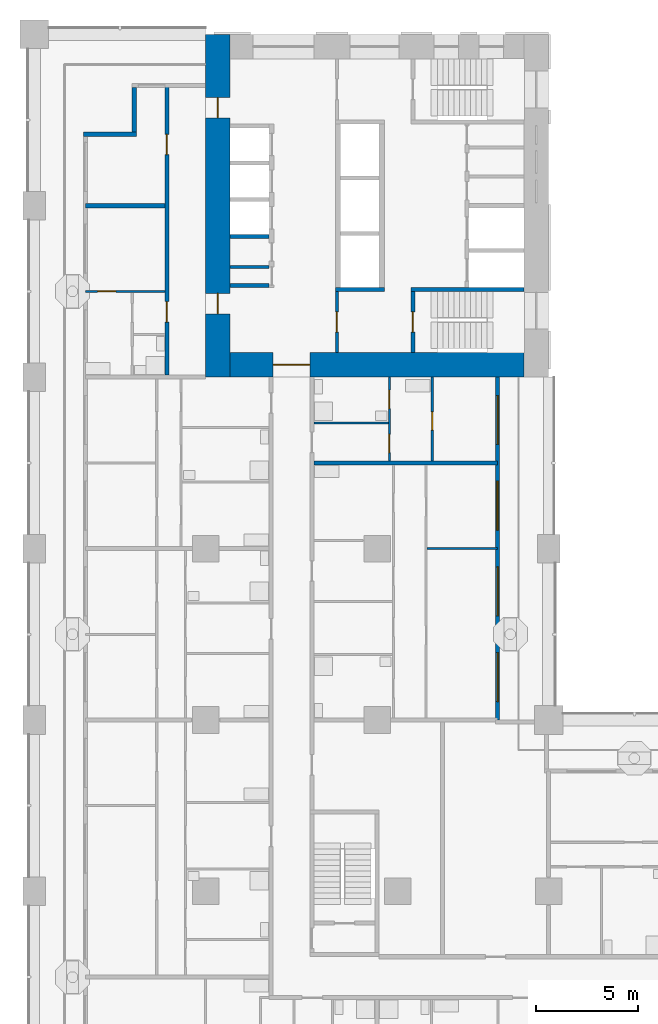
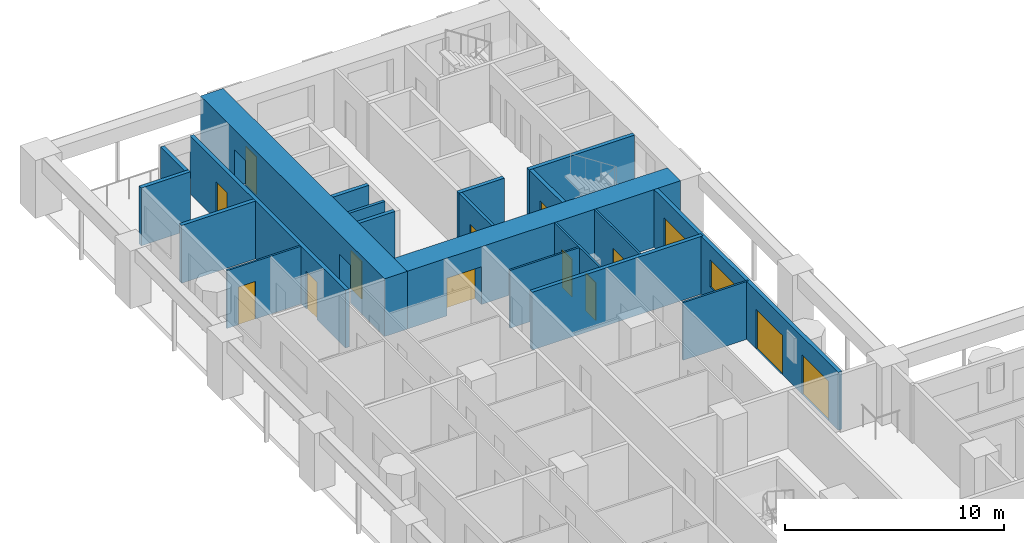
# One storey, part 9 of 22: 20 walls, 14 doors, 1 window, 15 openings.
"""IFC4 building model written with IfcOpenShell, lengths in metres."""

from ifc_helpers import new_model, si_unit, direction, frame, frame_2d, origin, place, context, subcontext, project, spatial, rectangle, extrude, material, layer, layer_set, type_object, element, fill, save


model = new_model("IFC4")

# Units and contexts
model_context = context("Model", 3, precision=1e-05, world=origin(), true_north=direction((0.0, 1.0)))
body_context = subcontext(model_context, "Body", "Model", "MODEL_VIEW")
ifc_project = project(units=[si_unit("LENGTHUNIT", "METRE"), si_unit("AREAUNIT", "SQUARE_METRE"), si_unit("VOLUMEUNIT", "CUBIC_METRE"), si_unit("PLANEANGLEUNIT", "RADIAN"), si_unit("MASSUNIT", "GRAM", prefix="KILO")], contexts=[model_context])

# Site, building, storey
site_placement = place(None, origin())
site = spatial("IfcSite", under=ifc_project, at=site_placement, CompositionType="ELEMENT")
building_placement = place(site_placement, origin())
building = spatial("IfcBuilding", under=site, at=building_placement, Name="Vermilion Gate Residences", CompositionType="ELEMENT")
storey_placement = place(building_placement, frame((0.0, 0.0, 60.199951171875)))
storey = spatial("IfcBuildingStorey", under=building, at=storey_placement, Name="L14", CompositionType="ELEMENT", Elevation=60.199951171875)

# Wall
ifc_material_1 = material(Name="Masonry blockwork", Category="masonry")
ifc_layer_1 = layer(ifc_material_1, 0.14990234375)
ifc_layer_set_1 = layer_set([ifc_layer_1], Name="BLOCKWORK PARTITION 150 EI 120")
wall_type_1 = type_object("IfcWallType", Name="BLOCKWORK PARTITION 150 EI 120", PredefinedType="PARTITIONING", material=ifc_layer_set_1)
wall_1_placement = place(storey_placement, frame((9.60009765625, 47.392578125, 0.0), z_axis=(0.0, 0.0, 1.0), x_axis=(1.0, 0.0, 0.0)))
element("IfcWall", 1, at=wall_1_placement, inside=storey, type_object=wall_type_1, Name="Core room partition B14-SR-P0", PredefinedType="PARTITIONING", context=body_context, shape_type="SweptSolid", body=[
    extrude(rectangle(XDim=1.89990234375, YDim=0.14990234375, at=frame_2d((0.949951171875, 0.0))), origin(), (0.0, 0.0, 1.0), 3.219970703125),
])

# Wall, opening, door
wall_2_placement = place(storey_placement, frame((14.824951171875, 46.199951171875, 0.0), z_axis=(0.0, 0.0, 1.0), x_axis=(0.0, -1.0, 0.0)))
wall_2 = element("IfcWall", 2, at=wall_2_placement, inside=storey, type_object=wall_type_1, Name="Core room partition B14-VE-S", PredefinedType="PARTITIONING", context=body_context, shape_type="SweptSolid", body=[
    extrude(rectangle(XDim=3.0, YDim=0.14990234375, at=frame_2d((1.5, 0.0))), origin(), (0.0, 0.0, 1.0), 3.219970703125),
])
opening_1_placement = place(wall_2_placement, frame((1.0, 0.0, 0.0)))
opening_1 = element("IfcOpeningElement", 3, at=opening_1_placement, cuts=wall_2, Name="Opening DK14116", PredefinedType="OPENING", context=body_context, shape_type="SweptSolid", body=[
    extrude(rectangle(XDim=1.0, YDim=2.10009765625, at=frame_2d((0.5, 1.050048828125))), frame((0.0, 0.0849609375, 0.0), z_axis=(0.0, -1.0, 0.0), x_axis=(1.0, 0.0, 0.0)), (0.0, 0.0, 1.0), 0.169921875),
])
ifc_material_2 = material(Name="Steel", Category="steel")
door_type_1 = type_object("IfcDoorType", Name="FIRE DOOR FD60 1000 X 2100", OperationType="SINGLE_SWING_LEFT", PredefinedType="DOOR", material=ifc_material_2)
door_1_placement = place(opening_1_placement, frame((1.0, 0.0, 0.0), z_axis=(0.0, 0.0, 1.0), x_axis=(-1.0, 0.0, 0.0)))
door_1 = element("IfcDoor", 4, at=door_1_placement, inside=storey, type_object=door_type_1, Name="Stair vestibule door B14", OperationType="SINGLE_SWING_LEFT", OverallHeight=2.10009765625, OverallWidth=1.0, PredefinedType="DOOR", context=body_context, shape_type="SweptSolid", body=[
    extrude(rectangle(XDim=1.0, YDim=2.10009765625, at=frame_2d((0.5, 1.050048828125))), frame((0.0, 0.02490234375, 0.0), z_axis=(0.0, -1.0, 0.0), x_axis=(1.0, 0.0, 0.0)), (0.0, 0.0, 1.0), 0.050048828125),
])
fill(opening_1, door_1)

# Walls
ifc_material_3 = material(Name="Insulated steel stud wall with terracotta rainscreen", Category="masonry")
ifc_layer_2 = layer(ifc_material_3, 0.199951171875)
ifc_layer_set_2 = layer_set([ifc_layer_2], Name="EXTERNAL WALL 200 TERRACOTTA RAINSCREEN")
wall_type_2 = type_object("IfcWallType", Name="EXTERNAL WALL 200 TERRACOTTA RAINSCREEN", PredefinedType="SOLIDWALL", material=ifc_layer_set_2)
wall_3_placement = place(storey_placement, frame((4.89990234375, 56.199951171875, 0.0), z_axis=(0.0, 0.0, 1.0), x_axis=(0.0, -1.0, 0.0)))
element("IfcWall", 5, at=wall_3_placement, inside=storey, type_object=wall_type_2, Name="External wall", PredefinedType="SOLIDWALL", context=body_context, shape_type="SweptSolid", body=[
    extrude(rectangle(XDim=2.199951171875, YDim=0.199951171875, at=frame_2d((1.10009765625, 0.0))), origin(), (0.0, 0.0, 1.0), 3.219970703125),
])
wall_4_placement = place(storey_placement, frame((5.0, 53.89990234375, 0.0), z_axis=(0.0, 0.0, 1.0), x_axis=(-1.0, 0.0, 0.0)))
element("IfcWall", 6, at=wall_4_placement, inside=storey, type_object=wall_type_2, Name="External wall", PredefinedType="SOLIDWALL", context=body_context, shape_type="SweptSolid", body=[
    extrude(rectangle(XDim=2.60009765625, YDim=0.199951171875, at=frame_2d((1.300048828125, 0.0))), origin(), (0.0, 0.0, 1.0), 3.219970703125),
])

# Wall, openings, doors, window
wall_5_placement = place(storey_placement, frame((22.699951171875, 25.199951171875, 0.0), z_axis=(0.0, 0.0, 1.0), x_axis=(0.0, 1.0, 0.0)))
wall_5 = element("IfcWall", 7, at=wall_5_placement, inside=storey, type_object=wall_type_2, Name="External wall", PredefinedType="SOLIDWALL", context=body_context, shape_type="SweptSolid", body=[
    extrude(rectangle(XDim=16.800048828125, YDim=0.199951171875, at=frame_2d((8.39990234375, 0.0))), origin(), (0.0, 0.0, 1.0), 3.219970703125),
])
opening_2_placement = place(wall_5_placement, frame((0.89990234375, 0.0, 0.0)))
opening_2 = element("IfcOpeningElement", 8, at=opening_2_placement, cuts=wall_5, Name="Opening DE14037", PredefinedType="OPENING", context=body_context, shape_type="SweptSolid", body=[
    extrude(rectangle(XDim=2.39990234375, YDim=2.199951171875, at=frame_2d((1.199951171875, 1.10009765625))), frame((0.0, 0.10986328125, 0.0), z_axis=(0.0, -1.0, 0.0), x_axis=(1.0, 0.0, 0.0)), (0.0, 0.0, 1.0), 0.219970703125),
])
opening_3_placement = place(wall_5_placement, frame((5.10009765625, 0.0, 0.0)))
opening_3 = element("IfcOpeningElement", 9, at=opening_3_placement, cuts=wall_5, Name="Opening DE14038", PredefinedType="OPENING", context=body_context, shape_type="SweptSolid", body=[
    extrude(rectangle(XDim=2.39990234375, YDim=2.199951171875, at=frame_2d((1.199951171875, 1.10009765625))), frame((0.0, 0.10986328125, 0.0), z_axis=(0.0, -1.0, 0.0), x_axis=(1.0, 0.0, 0.0)), (0.0, 0.0, 1.0), 0.219970703125),
])
opening_4_placement = place(wall_5_placement, frame((9.300048828125, 0.0, 0.89990234375)))
opening_4 = element("IfcOpeningElement", 10, at=opening_4_placement, cuts=wall_5, Name="Opening WE14039", PredefinedType="OPENING", context=body_context, shape_type="SweptSolid", body=[
    extrude(rectangle(XDim=2.39990234375, YDim=1.5, at=frame_2d((1.199951171875, 0.75))), frame((0.0, 0.10986328125, 0.0), z_axis=(0.0, -1.0, 0.0), x_axis=(1.0, 0.0, 0.0)), (0.0, 0.0, 1.0), 0.219970703125),
])
opening_5_placement = place(wall_5_placement, frame((13.5, 0.0, 0.0)))
opening_5 = element("IfcOpeningElement", 11, at=opening_5_placement, cuts=wall_5, Name="Opening DE14040", PredefinedType="OPENING", context=body_context, shape_type="SweptSolid", body=[
    extrude(rectangle(XDim=2.39990234375, YDim=2.199951171875, at=frame_2d((1.199951171875, 1.10009765625))), frame((0.0, 0.10986328125, 0.0), z_axis=(0.0, -1.0, 0.0), x_axis=(1.0, 0.0, 0.0)), (0.0, 0.0, 1.0), 0.219970703125),
])
ifc_material_4 = material(Name="Aluminium and clear glass", Category="aluminium")
door_type_2 = type_object("IfcDoorType", Name="SLIDING GLAZED DOOR 2400 X 2200", OperationType="DOUBLE_DOOR_SLIDING", PredefinedType="DOOR", material=ifc_material_4)
door_2_placement = place(opening_2_placement, origin())
door_2 = element("IfcDoor", 12, at=door_2_placement, inside=storey, type_object=door_type_2, Name="Loggia sliding door", OperationType="DOUBLE_DOOR_SLIDING", OverallHeight=2.199951171875, OverallWidth=2.39990234375, PredefinedType="DOOR", context=body_context, shape_type="SweptSolid", body=[
    extrude(rectangle(XDim=2.39990234375, YDim=2.199951171875, at=frame_2d((1.199951171875, 1.10009765625))), frame((0.0, 0.02490234375, 0.0), z_axis=(0.0, -1.0, 0.0), x_axis=(1.0, 0.0, 0.0)), (0.0, 0.0, 1.0), 0.050048828125),
])
fill(opening_2, door_2)
door_3_placement = place(opening_3_placement, origin())
door_3 = element("IfcDoor", 13, at=door_3_placement, inside=storey, type_object=door_type_2, Name="Loggia sliding door", OperationType="DOUBLE_DOOR_SLIDING", OverallHeight=2.199951171875, OverallWidth=2.39990234375, PredefinedType="DOOR", context=body_context, shape_type="SweptSolid", body=[
    extrude(rectangle(XDim=2.39990234375, YDim=2.199951171875, at=frame_2d((1.199951171875, 1.10009765625))), frame((0.0, 0.02490234375, 0.0), z_axis=(0.0, -1.0, 0.0), x_axis=(1.0, 0.0, 0.0)), (0.0, 0.0, 1.0), 0.050048828125),
])
fill(opening_3, door_3)
door_4_placement = place(opening_5_placement, origin())
door_4 = element("IfcDoor", 14, at=door_4_placement, inside=storey, type_object=door_type_2, Name="Loggia sliding door", OperationType="DOUBLE_DOOR_SLIDING", OverallHeight=2.199951171875, OverallWidth=2.39990234375, PredefinedType="DOOR", context=body_context, shape_type="SweptSolid", body=[
    extrude(rectangle(XDim=2.39990234375, YDim=2.199951171875, at=frame_2d((1.199951171875, 1.10009765625))), frame((0.0, 0.02490234375, 0.0), z_axis=(0.0, -1.0, 0.0), x_axis=(1.0, 0.0, 0.0)), (0.0, 0.0, 1.0), 0.050048828125),
])
fill(opening_5, door_4)
ifc_material_5 = material(Name="Aluminium and clear glass", Category="aluminium")
window_type = type_object("IfcWindowType", Name="WINDOW 2400 X 1500", PartitioningType="SINGLE_PANEL", PredefinedType="WINDOW", material=ifc_material_5)
window_placement = place(opening_4_placement, origin())
window = element("IfcWindow", 15, at=window_placement, inside=storey, type_object=window_type, Name="Window", OverallHeight=1.5, OverallWidth=2.39990234375, PartitioningType="SINGLE_PANEL", PredefinedType="WINDOW", context=body_context, shape_type="SweptSolid", body=[
    extrude(rectangle(XDim=2.39990234375, YDim=1.5, at=frame_2d((1.199951171875, 0.75))), frame((0.0, 0.030029296875, 0.0), z_axis=(0.0, -1.0, 0.0), x_axis=(1.0, 0.0, 0.0)), (0.0, 0.0, 1.0), 0.06005859375),
])
fill(opening_4, window)

# Walls
ifc_material_6 = material(Name="Plasterboard on steel studs", Category="steel")
ifc_layer_3 = layer(ifc_material_6, 0.10009765625)
ifc_layer_set_3 = layer_set([ifc_layer_3], Name="PARTITION 100")
wall_type_3 = type_object("IfcWallType", Name="PARTITION 100", PredefinedType="PARTITIONING", material=ifc_layer_set_3)
wall_6_placement = place(storey_placement, frame((19.25, 33.60009765625, 0.0), z_axis=(0.0, 0.0, 1.0), x_axis=(1.0, 0.0, 0.0)))
element("IfcWall", 16, at=wall_6_placement, inside=storey, type_object=wall_type_3, Name="Partition", PredefinedType="PARTITIONING", context=body_context, shape_type="SweptSolid", body=[
    extrude(rectangle(XDim=3.449951171875, YDim=0.10009765625, at=frame_2d((1.72509765625, 0.0))), origin(), (0.0, 0.0, 1.0), 3.219970703125),
])
wall_7_placement = place(storey_placement, frame((13.699951171875, 39.760009765625, 0.0), z_axis=(0.0, 0.0, 1.0), x_axis=(1.0, 0.0, 0.0)))
element("IfcWall", 17, at=wall_7_placement, inside=storey, type_object=wall_type_3, Name="Partition", PredefinedType="PARTITIONING", context=body_context, shape_type="SweptSolid", body=[
    extrude(rectangle(XDim=3.650146484375, YDim=0.10009765625, at=frame_2d((1.8251953125, 0.0))), origin(), (0.0, 0.0, 1.0), 3.219970703125),
])

# Wall, opening, door
wall_8_placement = place(storey_placement, frame((2.5, 46.199951171875, 0.0), z_axis=(0.0, 0.0, 1.0), x_axis=(1.0, 0.0, 0.0)))
wall_8 = element("IfcWall", 18, at=wall_8_placement, inside=storey, type_object=wall_type_3, Name="Partition", PredefinedType="PARTITIONING", context=body_context, shape_type="SweptSolid", body=[
    extrude(rectangle(XDim=3.89990234375, YDim=0.10009765625, at=frame_2d((1.949951171875, 0.0))), origin(), (0.0, 0.0, 1.0), 3.219970703125),
])
opening_6_placement = place(wall_8_placement, frame((0.60009765625, 0.0, 0.0)))
opening_6 = element("IfcOpeningElement", 19, at=opening_6_placement, cuts=wall_8, Name="Opening DA13044", PredefinedType="OPENING", context=body_context, shape_type="SweptSolid", body=[
    extrude(rectangle(XDim=0.89990234375, YDim=2.10009765625, at=frame_2d((0.449951171875, 1.050048828125))), frame((0.0, 0.06005859375, 0.0), z_axis=(0.0, -1.0, 0.0), x_axis=(1.0, 0.0, 0.0)), (0.0, 0.0, 1.0), 0.1201171875),
])
ifc_material_7 = material(Name="Timber", Category="wood")
door_type_3 = type_object("IfcDoorType", Name="INTERIOR DOOR 900 X 2100", OperationType="SINGLE_SWING_LEFT", PredefinedType="DOOR", material=ifc_material_7)
door_5_placement = place(opening_6_placement, frame((0.89990234375, 0.0, 0.0), z_axis=(0.0, 0.0, 1.0), x_axis=(-1.0, 0.0, 0.0)))
door_5 = element("IfcDoor", 20, at=door_5_placement, inside=storey, type_object=door_type_3, Name="Interior door", OperationType="SINGLE_SWING_RIGHT", OverallHeight=2.10009765625, OverallWidth=0.89990234375, PredefinedType="DOOR", context=body_context, shape_type="SweptSolid", body=[
    extrude(rectangle(XDim=0.89990234375, YDim=2.10009765625, at=frame_2d((0.449951171875, 1.050048828125))), frame((0.0, 0.02490234375, 0.0), z_axis=(0.0, -1.0, 0.0), x_axis=(1.0, 0.0, 0.0)), (0.0, 0.0, 1.0), 0.050048828125),
])
fill(opening_6, door_5)

# Wall, openings, doors
wall_9_placement = place(storey_placement, frame((17.39990234375, 37.89990234375, 0.0), z_axis=(0.0, 0.0, 1.0), x_axis=(0.0, 1.0, 0.0)))
wall_9 = element("IfcWall", 21, at=wall_9_placement, inside=storey, type_object=wall_type_3, Name="Partition", PredefinedType="PARTITIONING", context=body_context, shape_type="SweptSolid", body=[
    extrude(rectangle(XDim=4.10009765625, YDim=0.10009765625, at=frame_2d((2.050048828125, 0.0))), origin(), (0.0, 0.0, 1.0), 3.219970703125),
])
opening_7_placement = place(wall_9_placement, frame((0.39990234375, 0.0, 0.0)))
opening_7 = element("IfcOpeningElement", 22, at=opening_7_placement, cuts=wall_9, Name="Opening DA13072", PredefinedType="OPENING", context=body_context, shape_type="SweptSolid", body=[
    extrude(rectangle(XDim=0.89990234375, YDim=2.10009765625, at=frame_2d((0.449951171875, 1.050048828125))), frame((0.0, 0.06005859375, 0.0), z_axis=(0.0, -1.0, 0.0), x_axis=(1.0, 0.0, 0.0)), (0.0, 0.0, 1.0), 0.1201171875),
])
opening_8_placement = place(wall_9_placement, frame((2.56005859375, 0.0, 0.0)))
opening_8 = element("IfcOpeningElement", 23, at=opening_8_placement, cuts=wall_9, Name="Opening DA13073", PredefinedType="OPENING", context=body_context, shape_type="SweptSolid", body=[
    extrude(rectangle(XDim=0.89990234375, YDim=2.10009765625, at=frame_2d((0.449951171875, 1.050048828125))), frame((0.0, 0.06005859375, 0.0), z_axis=(0.0, -1.0, 0.0), x_axis=(1.0, 0.0, 0.0)), (0.0, 0.0, 1.0), 0.1201171875),
])
door_6_placement = place(opening_7_placement, frame((0.89990234375, 0.0, 0.0), z_axis=(0.0, 0.0, 1.0), x_axis=(-1.0, 0.0, 0.0)))
door_6 = element("IfcDoor", 24, at=door_6_placement, inside=storey, type_object=door_type_3, Name="Interior door", OperationType="SINGLE_SWING_RIGHT", OverallHeight=2.10009765625, OverallWidth=0.89990234375, PredefinedType="DOOR", context=body_context, shape_type="SweptSolid", body=[
    extrude(rectangle(XDim=0.89990234375, YDim=2.10009765625, at=frame_2d((0.449951171875, 1.050048828125))), frame((0.0, 0.02490234375, 0.0), z_axis=(0.0, -1.0, 0.0), x_axis=(1.0, 0.0, 0.0)), (0.0, 0.0, 1.0), 0.050048828125),
])
fill(opening_7, door_6)
door_7_placement = place(opening_8_placement, origin())
door_7 = element("IfcDoor", 25, at=door_7_placement, inside=storey, type_object=door_type_3, Name="Interior door", OperationType="SINGLE_SWING_LEFT", OverallHeight=2.10009765625, OverallWidth=0.89990234375, PredefinedType="DOOR", context=body_context, shape_type="SweptSolid", body=[
    extrude(rectangle(XDim=0.89990234375, YDim=2.10009765625, at=frame_2d((0.449951171875, 1.050048828125))), frame((0.0, 0.02490234375, 0.0), z_axis=(0.0, -1.0, 0.0), x_axis=(1.0, 0.0, 0.0)), (0.0, 0.0, 1.0), 0.050048828125),
])
fill(opening_8, door_7)

# Wall, opening, door
wall_10_placement = place(storey_placement, frame((19.5, 37.89990234375, 0.0), z_axis=(0.0, 0.0, 1.0), x_axis=(0.0, 1.0, 0.0)))
wall_10 = element("IfcWall", 26, at=wall_10_placement, inside=storey, type_object=wall_type_3, Name="Partition", PredefinedType="PARTITIONING", context=body_context, shape_type="SweptSolid", body=[
    extrude(rectangle(XDim=4.10009765625, YDim=0.10009765625, at=frame_2d((2.050048828125, 0.0))), origin(), (0.0, 0.0, 1.0), 3.219970703125),
])
opening_9_placement = place(wall_10_placement, frame((1.5, 0.0, 0.0)))
opening_9 = element("IfcOpeningElement", 27, at=opening_9_placement, cuts=wall_10, Name="Opening DA13080", PredefinedType="OPENING", context=body_context, shape_type="SweptSolid", body=[
    extrude(rectangle(XDim=0.89990234375, YDim=2.10009765625, at=frame_2d((0.449951171875, 1.050048828125))), frame((0.0, 0.06005859375, 0.0), z_axis=(0.0, -1.0, 0.0), x_axis=(1.0, 0.0, 0.0)), (0.0, 0.0, 1.0), 0.1201171875),
])
door_8_placement = place(opening_9_placement, origin())
door_8 = element("IfcDoor", 28, at=door_8_placement, inside=storey, type_object=door_type_3, Name="Interior door", OperationType="SINGLE_SWING_RIGHT", OverallHeight=2.10009765625, OverallWidth=0.89990234375, PredefinedType="DOOR", context=body_context, shape_type="SweptSolid", body=[
    extrude(rectangle(XDim=0.89990234375, YDim=2.10009765625, at=frame_2d((0.449951171875, 1.050048828125))), frame((0.0, 0.02490234375, 0.0), z_axis=(0.0, -1.0, 0.0), x_axis=(1.0, 0.0, 0.0)), (0.0, 0.0, 1.0), 0.050048828125),
])
fill(opening_9, door_8)

# Walls
ifc_material_8 = material(Name="Fire-rated plasterboard on steel studs", Category="steel")
ifc_layer_4 = layer(ifc_material_8, 0.199951171875)
ifc_layer_set_4 = layer_set([ifc_layer_4], Name="PARTY WALL 200 EI 120")
wall_type_4 = type_object("IfcWallType", Name="PARTY WALL 200 EI 120", PredefinedType="PARTITIONING", material=ifc_layer_set_4)
wall_11_placement = place(storey_placement, frame((13.699951171875, 37.800048828125, 0.0), z_axis=(0.0, 0.0, 1.0), x_axis=(1.0, 0.0, 0.0)))
element("IfcWall", 29, at=wall_11_placement, inside=storey, type_object=wall_type_4, Name="Party and corridor wall", PredefinedType="PARTITIONING", context=body_context, shape_type="SweptSolid", body=[
    extrude(rectangle(XDim=9.0, YDim=0.199951171875, at=frame_2d((4.5, 0.0))), origin(), (0.0, 0.0, 1.0), 3.219970703125),
])
wall_12_placement = place(storey_placement, frame((2.5, 50.39990234375, 0.0), z_axis=(0.0, 0.0, 1.0), x_axis=(1.0, 0.0, 0.0)))
element("IfcWall", 30, at=wall_12_placement, inside=storey, type_object=wall_type_4, Name="Party and corridor wall", PredefinedType="PARTITIONING", context=body_context, shape_type="SweptSolid", body=[
    extrude(rectangle(XDim=3.89990234375, YDim=0.199951171875, at=frame_2d((1.949951171875, 0.0))), origin(), (0.0, 0.0, 1.0), 3.219970703125),
])

# Wall, openings, doors
wall_13_placement = place(storey_placement, frame((6.5, 42.10009765625, 0.0), z_axis=(0.0, 0.0, 1.0), x_axis=(0.0, 1.0, 0.0)))
wall_13 = element("IfcWall", 31, at=wall_13_placement, inside=storey, type_object=wall_type_4, Name="Party and corridor wall", PredefinedType="PARTITIONING", context=body_context, shape_type="SweptSolid", body=[
    extrude(rectangle(XDim=14.199951171875, YDim=0.199951171875, at=frame_2d((7.10009765625, 0.0))), origin(), (0.0, 0.0, 1.0), 3.219970703125),
])
opening_10_placement = place(wall_13_placement, frame((2.60009765625, 0.0, 0.0)))
opening_10 = element("IfcOpeningElement", 32, at=opening_10_placement, cuts=wall_13, Name="Opening DA13053", PredefinedType="OPENING", context=body_context, shape_type="SweptSolid", body=[
    extrude(rectangle(XDim=1.0, YDim=2.10009765625, at=frame_2d((0.5, 1.050048828125))), frame((0.0, 0.10986328125, 0.0), z_axis=(0.0, -1.0, 0.0), x_axis=(1.0, 0.0, 0.0)), (0.0, 0.0, 1.0), 0.219970703125),
])
opening_11_placement = place(wall_13_placement, frame((10.800048828125, 0.0, 0.0)))
opening_11 = element("IfcOpeningElement", 33, at=opening_11_placement, cuts=wall_13, Name="Opening DA13054", PredefinedType="OPENING", context=body_context, shape_type="SweptSolid", body=[
    extrude(rectangle(XDim=1.0, YDim=2.10009765625, at=frame_2d((0.5, 1.050048828125))), frame((0.0, 0.10986328125, 0.0), z_axis=(0.0, -1.0, 0.0), x_axis=(1.0, 0.0, 0.0)), (0.0, 0.0, 1.0), 0.219970703125),
])
ifc_material_9 = material(Name="Steel", Category="steel")
door_type_4 = type_object("IfcDoorType", Name="ENTRANCE DOOR 1000 X 2100 FD30", OperationType="SINGLE_SWING_LEFT", PredefinedType="DOOR", material=ifc_material_9)
door_9_placement = place(opening_10_placement, origin())
door_9 = element("IfcDoor", 34, at=door_9_placement, inside=storey, type_object=door_type_4, Name="Entrance door", OperationType="SINGLE_SWING_RIGHT", OverallHeight=2.10009765625, OverallWidth=1.0, PredefinedType="DOOR", context=body_context, shape_type="SweptSolid", body=[
    extrude(rectangle(XDim=1.0, YDim=2.10009765625, at=frame_2d((0.5, 1.050048828125))), frame((0.0, 0.02490234375, 0.0), z_axis=(0.0, -1.0, 0.0), x_axis=(1.0, 0.0, 0.0)), (0.0, 0.0, 1.0), 0.050048828125),
])
fill(opening_10, door_9)
door_10_placement = place(opening_11_placement, origin())
door_10 = element("IfcDoor", 35, at=door_10_placement, inside=storey, type_object=door_type_4, Name="Entrance door", OperationType="SINGLE_SWING_RIGHT", OverallHeight=2.10009765625, OverallWidth=1.0, PredefinedType="DOOR", context=body_context, shape_type="SweptSolid", body=[
    extrude(rectangle(XDim=1.0, YDim=2.10009765625, at=frame_2d((0.5, 1.050048828125))), frame((0.0, 0.02490234375, 0.0), z_axis=(0.0, -1.0, 0.0), x_axis=(1.0, 0.0, 0.0)), (0.0, 0.0, 1.0), 0.050048828125),
])
fill(opening_11, door_10)

# Walls
ifc_material_10 = material(Name="Concrete C60", Category="concrete")
ifc_layer_5 = layer(ifc_material_10, 0.199951171875)
ifc_layer_set_5 = layer_set([ifc_layer_5], Name="RC CORE INTERNAL WALL 200 C60")
wall_type_5 = type_object("IfcWallType", Name="RC CORE INTERNAL WALL 200 C60", PredefinedType="SHEAR", material=ifc_layer_set_5)
for number, where, z_axis, x_axis, name in (
    (36, (9.60009765625, 48.89990234375, 0.0), (0.0, 0.0, 1.0), (1.0, 0.0, 0.0), "Core internal wall B14-LR-D3"),
    (37, (9.60009765625, 46.5, 0.0), (0.0, 0.0, 1.0), (1.0, 0.0, 0.0), "Core internal wall B14-LR-DE"),
):
    element("IfcWall", number, at=place(storey_placement, frame(where, z_axis=z_axis, x_axis=x_axis)), inside=storey, type_object=wall_type_5, Name=name, PredefinedType="SHEAR", context=body_context, shape_type="SweptSolid", body=[
        extrude(rectangle(XDim=1.89990234375, YDim=0.199951171875, at=frame_2d((0.949951171875, 0.0))), origin(), (0.0, 0.0, 1.0), 3.219970703125),
    ])
wall_14_placement = place(storey_placement, frame((14.75, 46.300048828125, 0.0), z_axis=(0.0, 0.0, 1.0), x_axis=(1.0, 0.0, 0.0)))
element("IfcWall", 38, at=wall_14_placement, inside=storey, type_object=wall_type_5, Name="Core internal wall B14-EDIV1", PredefinedType="SHEAR", context=body_context, shape_type="SweptSolid", body=[
    extrude(rectangle(XDim=2.39990234375, YDim=0.199951171875, at=frame_2d((1.199951171875, 0.0))), origin(), (0.0, 0.0, 1.0), 3.219970703125),
])
wall_15_placement = place(storey_placement, frame((18.449951171875, 46.300048828125, 0.0), z_axis=(0.0, 0.0, 1.0), x_axis=(1.0, 0.0, 0.0)))
element("IfcWall", 39, at=wall_15_placement, inside=storey, type_object=wall_type_5, Name="Core internal wall B14-EDIV2", PredefinedType="SHEAR", context=body_context, shape_type="SweptSolid", body=[
    extrude(rectangle(XDim=5.550048828125, YDim=0.199951171875, at=frame_2d((2.77490234375, 0.0))), origin(), (0.0, 0.0, 1.0), 3.219970703125),
])

# Wall, opening, door
wall_16_placement = place(storey_placement, frame((18.550048828125, 46.199951171875, 0.0), z_axis=(0.0, 0.0, 1.0), x_axis=(0.0, -1.0, 0.0)))
wall_16 = element("IfcWall", 40, at=wall_16_placement, inside=storey, type_object=wall_type_5, Name="Core internal wall B14-STE-S", PredefinedType="SHEAR", context=body_context, shape_type="SweptSolid", body=[
    extrude(rectangle(XDim=3.0, YDim=0.199951171875, at=frame_2d((1.5, 0.0))), origin(), (0.0, 0.0, 1.0), 3.219970703125),
])
opening_12_placement = place(wall_16_placement, frame((1.0, 0.0, 0.0)))
opening_12 = element("IfcOpeningElement", 41, at=opening_12_placement, cuts=wall_16, Name="Opening DK14117", PredefinedType="OPENING", context=body_context, shape_type="SweptSolid", body=[
    extrude(rectangle(XDim=1.0, YDim=2.10009765625, at=frame_2d((0.5, 1.050048828125))), frame((0.0, 0.10986328125, 0.0), z_axis=(0.0, -1.0, 0.0), x_axis=(1.0, 0.0, 0.0)), (0.0, 0.0, 1.0), 0.219970703125),
])
door_11_placement = place(opening_12_placement, origin())
door_11 = element("IfcDoor", 42, at=door_11_placement, inside=storey, type_object=door_type_1, Name="Stair door B14", OperationType="SINGLE_SWING_LEFT", OverallHeight=2.10009765625, OverallWidth=1.0, PredefinedType="DOOR", context=body_context, shape_type="SweptSolid", body=[
    extrude(rectangle(XDim=1.0, YDim=2.10009765625, at=frame_2d((0.5, 1.050048828125))), frame((0.0, 0.02490234375, 0.0), z_axis=(0.0, -1.0, 0.0), x_axis=(1.0, 0.0, 0.0)), (0.0, 0.0, 1.0), 0.050048828125),
])
fill(opening_12, door_11)

# Wall, openings, doors
ifc_material_11 = material(Name="Concrete C80", Category="concrete")
ifc_layer_6 = layer(ifc_material_11, 1.199951171875)
ifc_layer_set_6 = layer_set([ifc_layer_6], Name="RC CORE WALL 1200 C80")
wall_type_6 = type_object("IfcWallType", Name="RC CORE WALL 1200 C80", PredefinedType="SHEAR", material=ifc_layer_set_6)
wall_17_placement = place(storey_placement, frame((9.0, 58.800048828125, 0.0), z_axis=(0.0, 0.0, 1.0), x_axis=(0.0, -1.0, 0.0)))
wall_17 = element("IfcWall", 43, at=wall_17_placement, inside=storey, type_object=wall_type_6, Name="Core wall B14-OUT-B0", PredefinedType="SHEAR", context=body_context, shape_type="SweptSolid", body=[
    extrude(rectangle(XDim=16.800048828125, YDim=1.199951171875, at=frame_2d((8.39990234375, 0.0))), origin(), (0.0, 0.0, 1.0), 3.219970703125),
])
opening_13_placement = place(wall_17_placement, frame((3.10009765625, 0.0, 0.0)))
opening_13 = element("IfcOpeningElement", 44, at=opening_13_placement, cuts=wall_17, Name="Opening DK14101", PredefinedType="OPENING", context=body_context, shape_type="SweptSolid", body=[
    extrude(rectangle(XDim=1.0, YDim=2.10009765625, at=frame_2d((0.5, 1.050048828125))), frame((0.0, 0.60986328125, 0.0), z_axis=(0.0, -1.0, 0.0), x_axis=(1.0, 0.0, 0.0)), (0.0, 0.0, 1.0), 1.219970703125),
])
opening_14_placement = place(wall_17_placement, frame((12.699951171875, 0.0, 0.0)))
opening_14 = element("IfcOpeningElement", 45, at=opening_14_placement, cuts=wall_17, Name="Opening DK14102", PredefinedType="OPENING", context=body_context, shape_type="SweptSolid", body=[
    extrude(rectangle(XDim=1.0, YDim=2.10009765625, at=frame_2d((0.5, 1.050048828125))), frame((0.0, 0.60986328125, 0.0), z_axis=(0.0, -1.0, 0.0), x_axis=(1.0, 0.0, 0.0)), (0.0, 0.0, 1.0), 1.219970703125),
])
door_12_placement = place(opening_13_placement, origin())
door_12 = element("IfcDoor", 46, at=door_12_placement, inside=storey, type_object=door_type_1, Name="Core lobby side door B14", OperationType="SINGLE_SWING_RIGHT", OverallHeight=2.10009765625, OverallWidth=1.0, PredefinedType="DOOR", context=body_context, shape_type="SweptSolid", body=[
    extrude(rectangle(XDim=1.0, YDim=2.10009765625, at=frame_2d((0.5, 1.050048828125))), frame((0.0, 0.02490234375, 0.0), z_axis=(0.0, -1.0, 0.0), x_axis=(1.0, 0.0, 0.0)), (0.0, 0.0, 1.0), 0.050048828125),
])
fill(opening_13, door_12)
door_13_placement = place(opening_14_placement, origin())
door_13 = element("IfcDoor", 47, at=door_13_placement, inside=storey, type_object=door_type_1, Name="Core lobby side door B14", OperationType="SINGLE_SWING_LEFT", OverallHeight=2.10009765625, OverallWidth=1.0, PredefinedType="DOOR", context=body_context, shape_type="SweptSolid", body=[
    extrude(rectangle(XDim=1.0, YDim=2.10009765625, at=frame_2d((0.5, 1.050048828125))), frame((0.0, 0.02490234375, 0.0), z_axis=(0.0, -1.0, 0.0), x_axis=(1.0, 0.0, 0.0)), (0.0, 0.0, 1.0), 0.050048828125),
])
fill(opening_14, door_13)

# Wall, opening, door
wall_18_placement = place(storey_placement, frame((9.60009765625, 42.60009765625, 0.0), z_axis=(0.0, 0.0, 1.0), x_axis=(1.0, 0.0, 0.0)))
wall_18 = element("IfcWall", 48, at=wall_18_placement, inside=storey, type_object=wall_type_6, Name="Core wall B14-OUT-BK", PredefinedType="SHEAR", context=body_context, shape_type="SweptSolid", body=[
    extrude(rectangle(XDim=14.39990234375, YDim=1.199951171875, at=frame_2d((7.199951171875, 0.0))), origin(), (0.0, 0.0, 1.0), 3.219970703125),
])
opening_15_placement = place(wall_18_placement, frame((2.10009765625, 0.0, 0.0)))
opening_15 = element("IfcOpeningElement", 49, at=opening_15_placement, cuts=wall_18, Name="Opening DK14103", PredefinedType="OPENING", context=body_context, shape_type="SweptSolid", body=[
    extrude(rectangle(XDim=1.800048828125, YDim=2.10009765625, at=frame_2d((0.89990234375, 1.050048828125))), frame((0.0, 0.60986328125, 0.0), z_axis=(0.0, -1.0, 0.0), x_axis=(1.0, 0.0, 0.0)), (0.0, 0.0, 1.0), 1.219970703125),
])
ifc_material_12 = material(Name="Steel", Category="steel")
door_type_5 = type_object("IfcDoorType", Name="CORE LOBBY DOOR FD60 1800 X 2100", OperationType="DOUBLE_DOOR_SINGLE_SWING", PredefinedType="DOOR", material=ifc_material_12)
door_14_placement = place(opening_15_placement, origin())
door_14 = element("IfcDoor", 50, at=door_14_placement, inside=storey, type_object=door_type_5, Name="Core lobby door B14", OperationType="DOUBLE_DOOR_SINGLE_SWING", OverallHeight=2.10009765625, OverallWidth=1.800048828125, PredefinedType="DOOR", context=body_context, shape_type="SweptSolid", body=[
    extrude(rectangle(XDim=1.800048828125, YDim=2.10009765625, at=frame_2d((0.89990234375, 1.050048828125))), frame((0.0, 0.02490234375, 0.0), z_axis=(0.0, -1.0, 0.0), x_axis=(1.0, 0.0, 0.0)), (0.0, 0.0, 1.0), 0.050048828125),
])
fill(opening_15, door_14)

save(model, "model.ifc")
